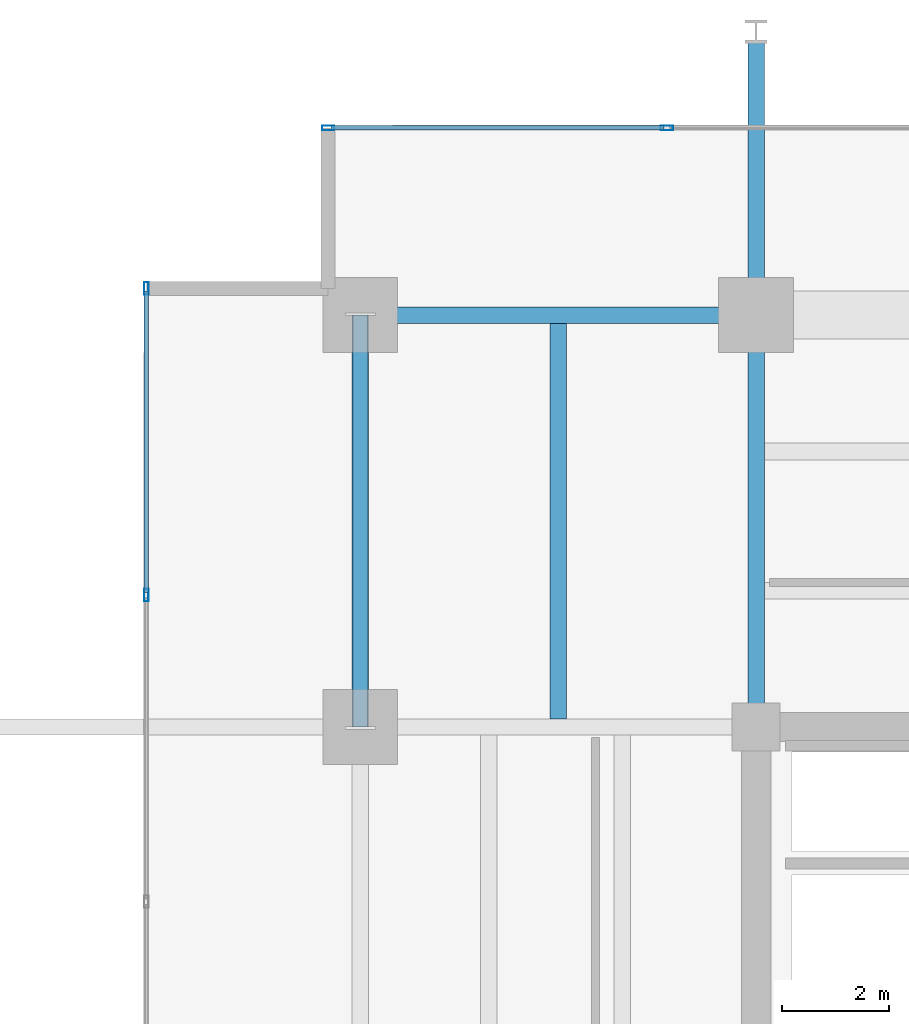
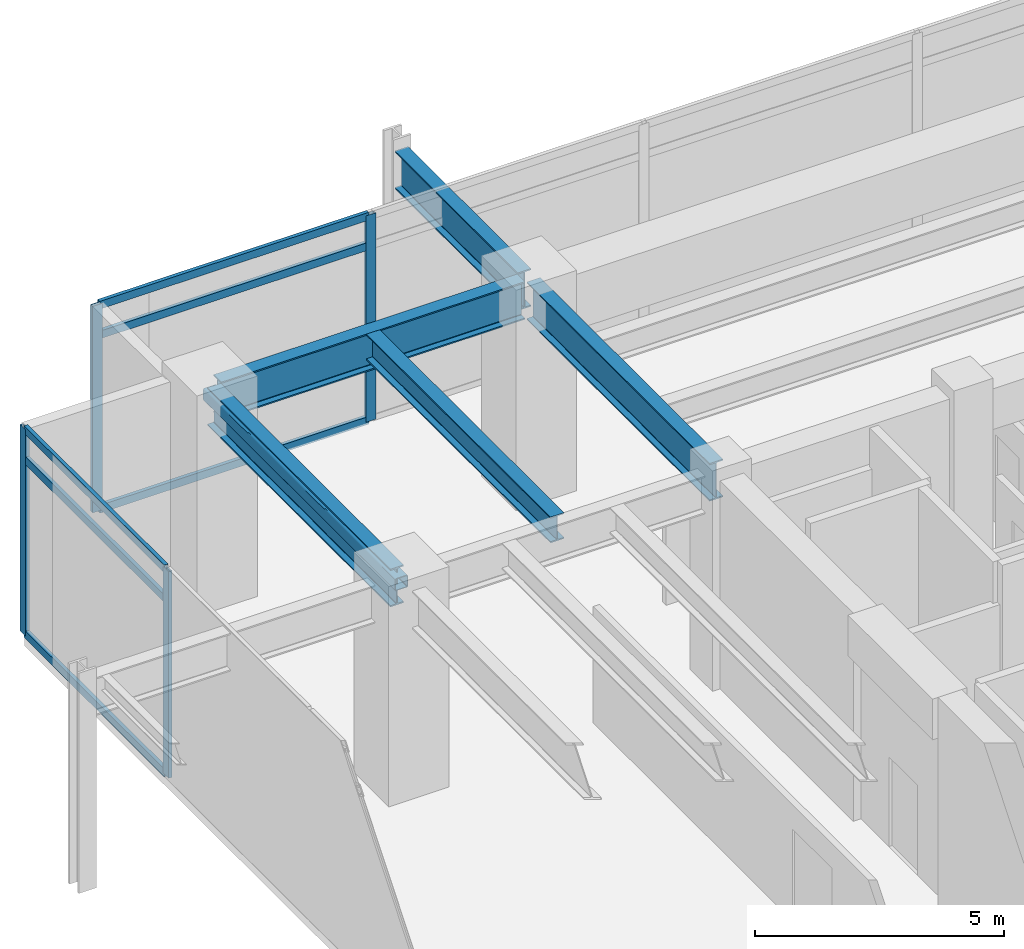
# One storey, part 14 of 24: 11 members, 5 beams, 2 elements without a shape of their own.
"""IFC4 building model written with IfcOpenShell, lengths in metres."""

from ifc_helpers import new_model, si_unit, direction, frame, origin, origin_2d, place, context, subcontext, project, spatial, hollow_rectangle, i_section, extrude, material, material_profile, profile_set, type_object, element, aggregate, save


model = new_model("IFC4")

# Units and contexts
model_context = context("Model", 3, precision=1e-05, world=origin(), true_north=direction((0.0, 1.0)))
body_context = subcontext(model_context, "Body", "Model", "MODEL_VIEW")
ifc_project = project(units=[si_unit("LENGTHUNIT", "METRE"), si_unit("AREAUNIT", "SQUARE_METRE"), si_unit("VOLUMEUNIT", "CUBIC_METRE"), si_unit("PLANEANGLEUNIT", "RADIAN"), si_unit("MASSUNIT", "GRAM", prefix="KILO")], contexts=[model_context])

# Site, building, storey
site_placement = place(None, origin())
site = spatial("IfcSite", under=ifc_project, at=site_placement, CompositionType="ELEMENT")
building_placement = place(site_placement, origin())
building = spatial("IfcBuilding", under=site, at=building_placement, Name="Kovane Verandah Tower", CompositionType="ELEMENT")
storey_placement = place(building_placement, frame((0.0, 0.0, 194.800048828125)))
storey = spatial("IfcBuildingStorey", under=building, at=storey_placement, Name="L45", CompositionType="ELEMENT", Elevation=194.800048828125)

# Beams
ifc_material_1 = material(Name="Steel S460", Category="steel")
ifc_material_profile_1 = material_profile(ifc_material_1, i_section(OverallWidth=0.311279296875, OverallDepth=0.6357421875, WebThickness=0.018310546875, FlangeThickness=0.031494140625, FilletRadius=0.0166015625, at=origin_2d()), Name="UB610x305x238")
ifc_profile_set_1 = profile_set([ifc_material_profile_1], Name="Steel S460")
beam_type_1 = type_object("IfcBeamType", Name="BM-UB610x238", PredefinedType="BEAM", material=ifc_profile_set_1)
beam_1_placement = place(storey_placement, frame((25.300048828125, 36.65185546875, 4.781982421875), z_axis=(0.0, 1.0, 0.0), x_axis=(-1.0, 0.0, 0.0)))
element("IfcBeam", 1, at=beam_1_placement, inside=storey, type_object=beam_type_1, Name="L45 Secondary Composite Joist J-NW1", PredefinedType="BEAM", context=body_context, shape_type="SweptSolid", body=[
    extrude(i_section(OverallWidth=0.311279296875, OverallDepth=0.6357421875, WebThickness=0.018310546875, FlangeThickness=0.031494140625, FilletRadius=0.0166015625, at=origin_2d()), origin(), (0.0, 0.0, 1.0), 7.396240234375),
])
ifc_material_profile_2 = material_profile(ifc_material_1, i_section(OverallWidth=0.3076171875, OverallDepth=0.926513671875, WebThickness=0.01953125, FlangeThickness=0.031982421875, FilletRadius=0.01904296875, at=origin_2d()), Name="UB914x305x289")
ifc_profile_set_2 = profile_set([ifc_material_profile_2], Name="Steel S460")
beam_type_2 = type_object("IfcBeamType", Name="BM-UB914x289", PredefinedType="BEAM", material=ifc_profile_set_2)
beam_2_placement = place(storey_placement, frame((21.780029296875, 44.199951171875, 4.63671875), z_axis=(1.0, 0.0, 0.0), x_axis=(0.0, 1.0, 0.0)))
element("IfcBeam", 2, at=beam_2_placement, inside=storey, type_object=beam_type_2, Name="L45 Primary Tower Girder G-RN1", PredefinedType="BEAM", context=body_context, shape_type="SweptSolid", body=[
    extrude(i_section(OverallWidth=0.3076171875, OverallDepth=0.926513671875, WebThickness=0.01953125, FlangeThickness=0.031982421875, FilletRadius=0.01904296875, at=origin_2d()), origin(), (0.0, 0.0, 1.0), 7.0400390625),
])
for number, where, z_axis, x_axis, name in (
    (3, (21.60009765625, 36.679931640625, 4.63671875), (0.0, 1.0, 0.0), (-1.0, 0.0, 0.0), "L45 Primary Tower Girder G-RW3"),
    (4, (29.0, 36.679931640625, 4.63671875), (0.0, 1.0, 0.0), (-1.0, 0.0, 0.0), "L45 Primary Tower Girder G-N1"),
):
    element("IfcBeam", number, at=place(storey_placement, frame(where, z_axis=z_axis, x_axis=x_axis)), inside=storey, type_object=beam_type_2, Name=name, PredefinedType="BEAM", context=body_context, shape_type="SweptSolid", body=[
        extrude(i_section(OverallWidth=0.3076171875, OverallDepth=0.926513671875, WebThickness=0.01953125, FlangeThickness=0.031982421875, FilletRadius=0.01904296875, at=origin_2d()), origin(), (0.0, 0.0, 1.0), 7.340087890625),
    ])
beam_3_placement = place(storey_placement, frame((29.0, 44.3798828125, 4.63671875), z_axis=(0.0, 1.0, 0.0), x_axis=(-1.0, 0.0, 0.0)))
element("IfcBeam", 5, at=beam_3_placement, inside=storey, type_object=beam_type_2, Name="L45 Primary Tower Girder G-VN1", PredefinedType="BEAM", context=body_context, shape_type="SweptSolid", body=[
    extrude(i_section(OverallWidth=0.3076171875, OverallDepth=0.926513671875, WebThickness=0.01953125, FlangeThickness=0.031982421875, FilletRadius=0.01904296875, at=origin_2d()), origin(), (0.0, 0.0, 1.0), 4.940185546875),
])

# Curtain wall, members
ifc_material_2 = material(Name="Champagne Anodised Aluminium Frame with Low-E Clear Laminated Glass", Category="aluminium")
curtain_wall_type = type_object("IfcCurtainWallType", Name="CW-SYS-04-WAIST", PredefinedType="NOTDEFINED", material=ifc_material_2)
curtain_wall_1_placement = place(storey_placement, origin())
curtain_wall_1 = element("IfcCurtainWall", 6, at=curtain_wall_1_placement, inside=storey, type_object=curtain_wall_type, Name="L45 N Unitised Curtain Wall", PredefinedType="NOTDEFINED")
ifc_material_3 = material(Name="Champagne Anodised Aluminium 6063-T6", Category="aluminium")
ifc_material_profile_3 = material_profile(ifc_material_3, hollow_rectangle(XDim=0.0849609375, YDim=0.22998046875, WallThickness=0.00390625, at=origin_2d()), Name="AL85x230x4")
ifc_profile_set_3 = profile_set([ifc_material_profile_3], Name="Champagne Anodised Aluminium 6063-T6")
member_type_1 = type_object("IfcMemberType", Name="CW-MUL-85x230", PredefinedType="MULLION", material=ifc_profile_set_3)
member_1_placement = place(storey_placement, frame((27.333251953125, 47.699951171875, 0.02001953125), z_axis=(0.0, 0.0, 1.0), x_axis=(0.0, 1.0, 0.0)))
member_1 = element("IfcMember", 7, at=member_1_placement, type_object=member_type_1, Name="L45 N Unitised Curtain Wall Mullion 6", PredefinedType="MULLION", context=body_context, shape_type="SweptSolid", body=[
    extrude(hollow_rectangle(XDim=0.0849609375, YDim=0.22998046875, WallThickness=0.00390625, at=origin_2d()), origin(), (0.0, 0.0, 1.0), 5.059814453125),
])
member_2_placement = place(storey_placement, frame((21.0, 47.699951171875, 0.02001953125), z_axis=(0.0, 0.0, 1.0), x_axis=(0.0, 1.0, 0.0)))
member_2 = element("IfcMember", 8, at=member_2_placement, type_object=member_type_1, Name="L45 N Unitised Curtain Wall Mullion 7", PredefinedType="MULLION", context=body_context, shape_type="SweptSolid", body=[
    extrude(hollow_rectangle(XDim=0.0849609375, YDim=0.22998046875, WallThickness=0.00390625, at=origin_2d()), origin(), (0.0, 0.0, 1.0), 5.059814453125),
])

curtain_wall_2_placement = place(storey_placement, origin())
curtain_wall_2 = element("IfcCurtainWall", 9, at=curtain_wall_2_placement, inside=storey, type_object=curtain_wall_type, Name="L45 W Unitised Curtain Wall", PredefinedType="NOTDEFINED")
member_3_placement = place(storey_placement, frame((17.60009765625, 44.699951171875, 0.02001953125), z_axis=(0.0, 0.0, 1.0), x_axis=(-1.0, 0.0, 0.0)))
member_3 = element("IfcMember", 10, at=member_3_placement, type_object=member_type_1, Name="L45 W Unitised Curtain Wall Mullion 1", PredefinedType="MULLION", context=body_context, shape_type="SweptSolid", body=[
    extrude(hollow_rectangle(XDim=0.0849609375, YDim=0.22998046875, WallThickness=0.00390625, at=origin_2d()), origin(), (0.0, 0.0, 1.0), 5.059814453125),
])
member_4_placement = place(storey_placement, frame((17.60009765625, 38.966796875, 0.02001953125), z_axis=(0.0, 0.0, 1.0), x_axis=(-1.0, 0.0, 0.0)))
member_4 = element("IfcMember", 11, at=member_4_placement, type_object=member_type_1, Name="L45 W Unitised Curtain Wall Mullion 2", PredefinedType="MULLION", context=body_context, shape_type="SweptSolid", body=[
    extrude(hollow_rectangle(XDim=0.0849609375, YDim=0.22998046875, WallThickness=0.00390625, at=origin_2d()), origin(), (0.0, 0.0, 1.0), 5.059814453125),
])

# Member
ifc_material_profile_4 = material_profile(ifc_material_3, hollow_rectangle(XDim=0.0849609375, YDim=0.18994140625, WallThickness=0.00390625, at=origin_2d()), Name="AL85x190x4")
ifc_profile_set_4 = profile_set([ifc_material_profile_4], Name="Champagne Anodised Aluminium 6063-T6")
member_type_2 = type_object("IfcMemberType", Name="CW-TRN-85x190", PredefinedType="USERDEFINED", material=ifc_profile_set_4)
member_5_placement = place(storey_placement, frame((27.283203125, 47.699951171875, 0.050048828125), z_axis=(-1.0, 0.0, 0.0), x_axis=(0.0, -1.0, 0.0)))
member_5 = element("IfcMember", 12, at=member_5_placement, type_object=member_type_2, Name="L45 N Unitised Curtain Wall Transom TB Bay 6", ObjectType="TRANSOM", PredefinedType="USERDEFINED", context=body_context, shape_type="SweptSolid", body=[
    extrude(hollow_rectangle(XDim=0.0849609375, YDim=0.18994140625, WallThickness=0.00390625, at=origin_2d()), origin(), (0.0, 0.0, 1.0), 6.233154296875),
])

member_6_placement = place(storey_placement, frame((27.283203125, 47.699951171875, 4.320068359375), z_axis=(-1.0, 0.0, 0.0), x_axis=(0.0, -1.0, 0.0)))
member_6 = element("IfcMember", 13, at=member_6_placement, type_object=member_type_2, Name="L45 N Unitised Curtain Wall Transom TM Bay 6", ObjectType="TRANSOM", PredefinedType="USERDEFINED", context=body_context, shape_type="SweptSolid", body=[
    extrude(hollow_rectangle(XDim=0.0849609375, YDim=0.18994140625, WallThickness=0.00390625, at=origin_2d()), origin(), (0.0, 0.0, 1.0), 6.233154296875),
])

member_7_placement = place(storey_placement, frame((27.283203125, 47.699951171875, 5.050048828125), z_axis=(-1.0, 0.0, 0.0), x_axis=(0.0, -1.0, 0.0)))
member_7 = element("IfcMember", 14, at=member_7_placement, type_object=member_type_2, Name="L45 N Unitised Curtain Wall Transom TT Bay 6", ObjectType="TRANSOM", PredefinedType="USERDEFINED", context=body_context, shape_type="SweptSolid", body=[
    extrude(hollow_rectangle(XDim=0.0849609375, YDim=0.18994140625, WallThickness=0.00390625, at=origin_2d()), origin(), (0.0, 0.0, 1.0), 6.233154296875),
])

aggregate(curtain_wall_1, [member_1, member_2, member_5, member_6, member_7])

member_8_placement = place(storey_placement, frame((17.60009765625, 44.64990234375, 0.050048828125), z_axis=(0.0, -1.0, 0.0), x_axis=(1.0, 0.0, 0.0)))
member_8 = element("IfcMember", 15, at=member_8_placement, type_object=member_type_2, Name="L45 W Unitised Curtain Wall Transom TB Bay 1", ObjectType="TRANSOM", PredefinedType="USERDEFINED", context=body_context, shape_type="SweptSolid", body=[
    extrude(hollow_rectangle(XDim=0.0849609375, YDim=0.18994140625, WallThickness=0.00390625, at=origin_2d()), origin(), (0.0, 0.0, 1.0), 5.63330078125),
])

member_9_placement = place(storey_placement, frame((17.60009765625, 44.64990234375, 4.320068359375), z_axis=(0.0, -1.0, 0.0), x_axis=(1.0, 0.0, 0.0)))
member_9 = element("IfcMember", 16, at=member_9_placement, type_object=member_type_2, Name="L45 W Unitised Curtain Wall Transom TM Bay 1", ObjectType="TRANSOM", PredefinedType="USERDEFINED", context=body_context, shape_type="SweptSolid", body=[
    extrude(hollow_rectangle(XDim=0.0849609375, YDim=0.18994140625, WallThickness=0.00390625, at=origin_2d()), origin(), (0.0, 0.0, 1.0), 5.63330078125),
])

member_10_placement = place(storey_placement, frame((17.60009765625, 44.64990234375, 5.050048828125), z_axis=(0.0, -1.0, 0.0), x_axis=(1.0, 0.0, 0.0)))
member_10 = element("IfcMember", 17, at=member_10_placement, type_object=member_type_2, Name="L45 W Unitised Curtain Wall Transom TT Bay 1", ObjectType="TRANSOM", PredefinedType="USERDEFINED", context=body_context, shape_type="SweptSolid", body=[
    extrude(hollow_rectangle(XDim=0.0849609375, YDim=0.18994140625, WallThickness=0.00390625, at=origin_2d()), origin(), (0.0, 0.0, 1.0), 5.63330078125),
])

aggregate(curtain_wall_2, [member_3, member_4, member_8, member_9, member_10])

ifc_material_profile_5 = material_profile(ifc_material_1, hollow_rectangle(XDim=0.300048828125, YDim=0.300048828125, WallThickness=0.01611328125, InnerFilletRadius=0.01611328125, OuterFilletRadius=0.031982421875, at=origin_2d()), Name="SHS300x300x16")
ifc_profile_set_5 = profile_set([ifc_material_profile_5], Name="Steel S460")
member_type_3 = type_object("IfcMemberType", Name="MEM-BR-SHS300", PredefinedType="BRACE", material=ifc_profile_set_5)
member_11_placement = place(storey_placement, frame((21.60009765625, 36.5, 4.820068359375), z_axis=(0.0, 1.0, 0.0), x_axis=(-1.0, 0.0, 0.0)))
element("IfcMember", 18, at=member_11_placement, inside=storey, type_object=member_type_3, Name="L45 Belt-Truss Ring Chord BW2", PredefinedType="BRACE", context=body_context, shape_type="SweptSolid", body=[
    extrude(hollow_rectangle(XDim=0.300048828125, YDim=0.300048828125, WallThickness=0.01611328125, InnerFilletRadius=0.01611328125, OuterFilletRadius=0.031982421875, at=origin_2d()), origin(), (0.0, 0.0, 1.0), 7.699951171875),
])

save(model, "model.ifc")
